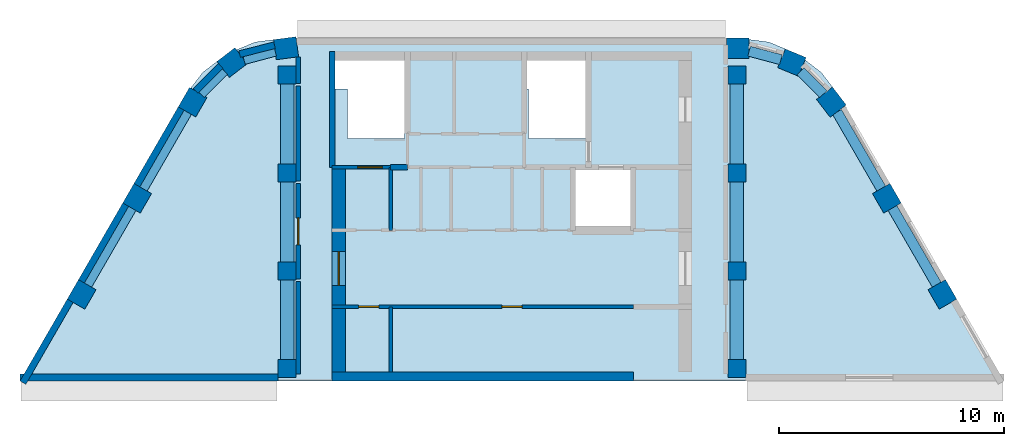
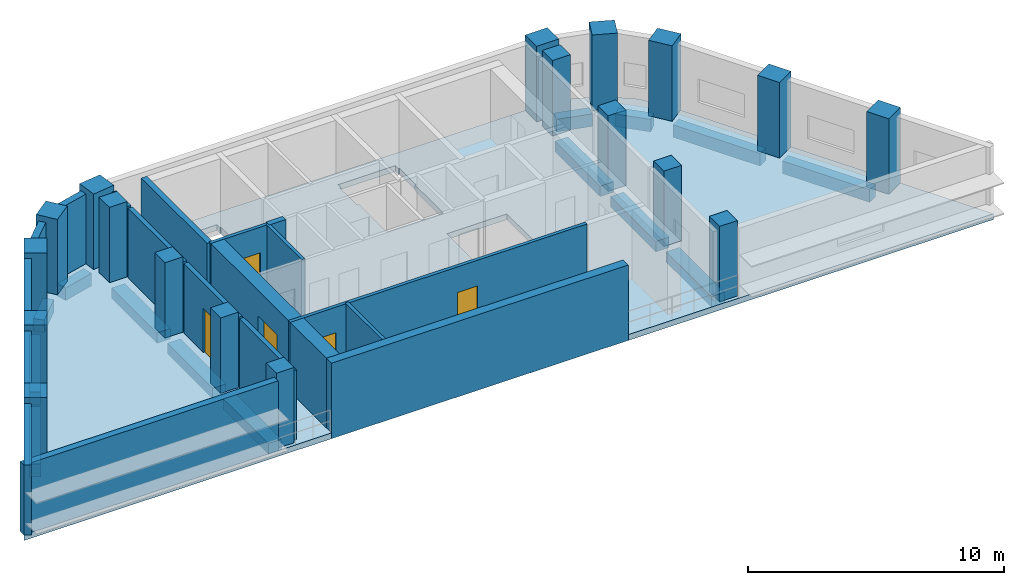
# One storey, part 1 of 4: 18 columns, 18 walls, 14 beams, 5 doors, 1 slab, 5 openings.
"""IFC4 building model written with IfcOpenShell, lengths in metres."""

from ifc_helpers import new_model, si_unit, direction, frame, frame_2d, origin, origin_2d, place, context, subcontext, project, spatial, polyline, rectangle, outline, extrude, material, layer, layer_set, material_profile, profile_set, type_object, element, fill, save


model = new_model("IFC4")

# Units and contexts
model_context = context("Model", 3, precision=1e-05, world=origin(), true_north=direction((0.0, 1.0)))
body_context = subcontext(model_context, "Body", "Model", "MODEL_VIEW")
ifc_project = project(units=[si_unit("LENGTHUNIT", "METRE"), si_unit("AREAUNIT", "SQUARE_METRE"), si_unit("VOLUMEUNIT", "CUBIC_METRE"), si_unit("PLANEANGLEUNIT", "RADIAN"), si_unit("MASSUNIT", "GRAM", prefix="KILO")], contexts=[model_context])

# Site, building, storey
site_placement = place(None, origin())
site = spatial("IfcSite", under=ifc_project, at=site_placement, CompositionType="ELEMENT")
building_placement = place(site_placement, origin())
building = spatial("IfcBuilding", under=site, at=building_placement, Name="Nakaniwa Court", CompositionType="ELEMENT")
storey_placement = place(building_placement, frame((0.0, 0.0, 294.0)))
storey = spatial("IfcBuildingStorey", under=building, at=storey_placement, Name="C07", CompositionType="ELEMENT", Elevation=294.0)

# Columns
ifc_material_1 = material(Name="Concrete C80/100", Category="concrete")
ifc_material_profile_1 = material_profile(ifc_material_1, rectangle(XDim=1.0, YDim=0.89990234375, at=origin_2d()), Name="Concrete C80/100 RC 1000x900 perimeter column")
ifc_profile_set_1 = profile_set([ifc_material_profile_1], Name="Concrete C80/100")
column_type_1 = type_object("IfcColumnType", Name="Concrete C80/100 RC 1000x900 perimeter column", PredefinedType="COLUMN", material=ifc_profile_set_1)
for number, where, z_axis, x_axis, name in (
    (1, (69.95458984375, 102.199951171875, 0.0), (0.0, 0.0, 1.0), (-0.991442583111, -0.130543496177, 0.0), "COLUMN CO-01"),
    (2, (67.552001953125, 101.560302734375, 0.0), (0.0, 0.0, 1.0), (-0.793363965062, -0.608747582288, 0.0), "COLUMN CO-02"),
    (3, (65.796875, 99.799560546875, 0.0), (0.0, 0.0, 1.0), (-0.5, -0.866025403784, 0.0), "COLUMN CO-03"),
    (4, (63.328857421875, 95.524658203125, 0.0), (0.0, 0.0, 1.0), (-0.5, -0.866025403784, 0.0), "COLUMN CO-04"),
    (5, (60.860595703125, 91.249755859375, 0.0), (0.0, 0.0, 1.0), (-0.5, -0.866025403784, 0.0), "COLUMN CO-05"),
    (6, (99.139404296875, 91.249755859375, 0.0), (0.0, 0.0, 1.0), (-0.5, 0.866025403784, 0.0), "COLUMN CO-33"),
    (7, (96.671142578125, 95.524658203125, 0.0), (0.0, 0.0, 1.0), (-0.5, 0.866025403784, 0.0), "COLUMN CO-34"),
    (8, (94.203125, 99.799560546875, 0.0), (0.0, 0.0, 1.0), (-0.608761429009, 0.793353340291, 0.0), "COLUMN CO-35"),
    (9, (92.447998046875, 101.560302734375, 0.0), (0.0, 0.0, 1.0), (-0.923879532511, 0.382683432365, 0.0), "COLUMN CO-36"),
    (10, (90.04541015625, 102.199951171875, 0.0), (0.0, 0.0, 1.0), (-1.0, 0.0, 0.0), "COLUMN CO-37"),
):
    element("IfcColumn", number, at=place(storey_placement, frame(where, z_axis=z_axis, x_axis=x_axis)), inside=storey, type_object=column_type_1, Name=name, PredefinedType="COLUMN", context=body_context, shape_type="SweptSolid", body=[
        extrude(rectangle(XDim=1.0, YDim=0.89990234375, at=origin_2d()), origin(), (0.0, 0.0, 1.0), 3.60009765625),
    ])
ifc_material_profile_2 = material_profile(ifc_material_1, rectangle(XDim=0.800048828125, YDim=0.800048828125, at=origin_2d()), Name="Concrete C80/100 RC 800x800 spine column")
ifc_profile_set_2 = profile_set([ifc_material_profile_2], Name="Concrete C80/100")
column_type_2 = type_object("IfcColumnType", Name="Concrete C80/100 RC 800x800 spine column", PredefinedType="COLUMN", material=ifc_profile_set_2)
for number, where, z_axis, x_axis, name in (
    (11, (90.0, 87.949951171875, 0.0), (0.0, 0.0, 1.0), (0.0, 1.0, 0.0), "COLUMN CS-07"),
    (12, (90.0, 92.300048828125, 0.0), (0.0, 0.0, 1.0), (0.0, 1.0, 0.0), "COLUMN CS-08"),
    (13, (90.0, 96.64990234375, 0.0), (0.0, 0.0, 1.0), (0.0, 1.0, 0.0), "COLUMN CS-09"),
    (14, (90.0, 101.0, 0.0), (0.0, 0.0, 1.0), (0.0, 1.0, 0.0), "COLUMN CS-10"),
    (15, (70.0, 101.0, 0.0), (0.0, 0.0, 1.0), (0.0, -1.0, 0.0), "COLUMN CS-11"),
    (16, (70.0, 96.64990234375, 0.0), (0.0, 0.0, 1.0), (0.0, -1.0, 0.0), "COLUMN CS-12"),
    (17, (70.0, 92.300048828125, 0.0), (0.0, 0.0, 1.0), (0.0, -1.0, 0.0), "COLUMN CS-13"),
    (18, (70.0, 87.949951171875, 0.0), (0.0, 0.0, 1.0), (0.0, -1.0, 0.0), "COLUMN CS-14"),
):
    element("IfcColumn", number, at=place(storey_placement, frame(where, z_axis=z_axis, x_axis=x_axis)), inside=storey, type_object=column_type_2, Name=name, PredefinedType="COLUMN", context=body_context, shape_type="SweptSolid", body=[
        extrude(rectangle(XDim=0.800048828125, YDim=0.800048828125, at=origin_2d()), origin(), (0.0, 0.0, 1.0), 3.60009765625),
    ])

# Beams
ifc_material_profile_3 = material_profile(ifc_material_1, rectangle(XDim=0.449951171875, YDim=0.60009765625, at=origin_2d()), Name="Concrete C80/100 RC 450x600 spandrel beam")
ifc_profile_set_3 = profile_set([ifc_material_profile_3], Name="Concrete C80/100")
beam_type_1 = type_object("IfcBeamType", Name="Concrete C80/100 RC 450x600 spandrel beam", PredefinedType="BEAM", material=ifc_profile_set_3)
beam_1_placement = place(storey_placement, frame((69.467529296875, 102.0703125, -0.574951171875), z_axis=(-0.966341744737, -0.257261797354, 0.0), x_axis=(0.257261797354, -0.966341744737, 0.0)))
element("IfcBeam", 19, at=beam_1_placement, inside=storey, type_object=beam_type_1, Name="SPANDREL BEAM", PredefinedType="BEAM", context=body_context, shape_type="SweptSolid", body=[
    extrude(rectangle(XDim=0.449951171875, YDim=0.60009765625, at=origin_2d()), origin(), (0.0, 0.0, 1.0), 1.440673828125),
])
beam_2_placement = place(storey_placement, frame((67.196044921875, 101.202880859375, -0.574951171875), z_axis=(-0.706105687672, -0.708106459396, 0.0), x_axis=(0.708106459396, -0.706105687672, 0.0)))
element("IfcBeam", 20, at=beam_2_placement, inside=storey, type_object=beam_type_1, Name="SPANDREL BEAM", PredefinedType="BEAM", context=body_context, shape_type="SweptSolid", body=[
    extrude(rectangle(XDim=0.449951171875, YDim=0.60009765625, at=origin_2d()), origin(), (0.0, 0.0, 1.0), 1.46435546875),
])
for number, where, z_axis, x_axis, name in (
    (21, (65.546875, 99.366455078125, -0.574951171875), (-0.499974795965, -0.866039954852, 0.0), (0.866039954852, -0.499974795965, 0.0), "SPANDREL BEAM"),
    (22, (63.078857421875, 95.091552734375, -0.574951171875), (-0.500021313302, -0.866013098194, 0.0), (0.866013098194, -0.500021313302, 0.0), "SPANDREL BEAM"),
    (23, (98.889404296875, 91.6826171875, -0.574951171875), (-0.500021313302, 0.866013098194, 0.0), (-0.866013098194, -0.500021313302, 0.0), "SPANDREL BEAM"),
):
    element("IfcBeam", number, at=place(storey_placement, frame(where, z_axis=z_axis, x_axis=x_axis)), inside=storey, type_object=beam_type_1, Name=name, PredefinedType="BEAM", context=body_context, shape_type="SweptSolid", body=[
        extrude(rectangle(XDim=0.449951171875, YDim=0.60009765625, at=origin_2d()), origin(), (0.0, 0.0, 1.0), 3.936279296875),
    ])
beam_3_placement = place(storey_placement, frame((96.421142578125, 95.95751953125, -0.574951171875), z_axis=(-0.499958946799, 0.866049104564, 0.0), x_axis=(-0.866049104564, -0.499958946799, 0.0)))
element("IfcBeam", 24, at=beam_3_placement, inside=storey, type_object=beam_type_1, Name="SPANDREL BEAM", PredefinedType="BEAM", context=body_context, shape_type="SweptSolid", body=[
    extrude(rectangle(XDim=0.449951171875, YDim=0.60009765625, at=origin_2d()), origin(), (0.0, 0.0, 1.0), 3.931884765625),
])
beam_4_placement = place(storey_placement, frame((93.84716796875, 100.156494140625, -0.574951171875), z_axis=(-0.706004380105, 0.708207466265, 0.0), x_axis=(-0.708207466265, -0.706004380105, 0.0)))
element("IfcBeam", 25, at=beam_4_placement, inside=storey, type_object=beam_type_1, Name="SPANDREL BEAM", PredefinedType="BEAM", context=body_context, shape_type="SweptSolid", body=[
    extrude(rectangle(XDim=0.449951171875, YDim=0.60009765625, at=origin_2d()), origin(), (0.0, 0.0, 1.0), 1.440673828125),
])
beam_5_placement = place(storey_placement, frame((91.96044921875, 101.68994140625, -0.574951171875), z_axis=(-0.966301318257, 0.257413601689, 0.0), x_axis=(-0.257413601689, -0.966301318257, 0.0)))
element("IfcBeam", 26, at=beam_5_placement, inside=storey, type_object=beam_type_1, Name="SPANDREL BEAM", PredefinedType="BEAM", context=body_context, shape_type="SweptSolid", body=[
    extrude(rectangle(XDim=0.449951171875, YDim=0.60009765625, at=origin_2d()), origin(), (0.0, 0.0, 1.0), 1.46435546875),
])
ifc_material_profile_4 = material_profile(ifc_material_1, rectangle(XDim=0.60009765625, YDim=0.5, at=origin_2d()), Name="Concrete C80/100 RC 600x500 ring beam")
ifc_profile_set_4 = profile_set([ifc_material_profile_4], Name="Concrete C80/100")
beam_type_2 = type_object("IfcBeamType", Name="Concrete C80/100 RC 600x500 ring beam", PredefinedType="BEAM", material=ifc_profile_set_4)
beam_6_placement = place(storey_placement, frame((90.0, 88.35009765625, -0.52490234375), z_axis=(0.0, 1.0, 0.0), x_axis=(-1.0, 0.0, 0.0)))
element("IfcBeam", 27, at=beam_6_placement, inside=storey, type_object=beam_type_2, Name="RING BEAM", PredefinedType="BEAM", context=body_context, shape_type="SweptSolid", body=[
    extrude(rectangle(XDim=0.60009765625, YDim=0.5, at=origin_2d()), origin(), (0.0, 0.0, 1.0), 3.5498046875),
])
for number, where, z_axis, x_axis, name in (
    (28, (90.0, 92.699951171875, -0.52490234375), (0.0, 1.0, 0.0), (-1.0, 0.0, 0.0), "RING BEAM"),
    (29, (90.0, 97.050048828125, -0.52490234375), (0.0, 1.0, 0.0), (-1.0, 0.0, 0.0), "RING BEAM"),
    (30, (70.0, 100.60009765625, -0.52490234375), (0.0, -1.0, 0.0), (1.0, 0.0, 0.0), "RING BEAM"),
    (31, (70.0, 96.25, -0.52490234375), (0.0, -1.0, 0.0), (1.0, 0.0, 0.0), "RING BEAM"),
):
    element("IfcBeam", number, at=place(storey_placement, frame(where, z_axis=z_axis, x_axis=x_axis)), inside=storey, type_object=beam_type_2, Name=name, PredefinedType="BEAM", context=body_context, shape_type="SweptSolid", body=[
        extrude(rectangle(XDim=0.60009765625, YDim=0.5, at=origin_2d()), origin(), (0.0, 0.0, 1.0), 3.550048828125),
    ])
beam_7_placement = place(storey_placement, frame((70.0, 91.89990234375, -0.52490234375), z_axis=(0.0, -1.0, 0.0), x_axis=(1.0, 0.0, 0.0)))
element("IfcBeam", 32, at=beam_7_placement, inside=storey, type_object=beam_type_2, Name="RING BEAM", PredefinedType="BEAM", context=body_context, shape_type="SweptSolid", body=[
    extrude(rectangle(XDim=0.60009765625, YDim=0.5, at=origin_2d()), origin(), (0.0, 0.0, 1.0), 3.5498046875),
])

# Slab
ifc_layer_1 = layer(ifc_material_1, 0.27490234375)
ifc_layer_set_1 = layer_set([ifc_layer_1], Name="Concrete C80/100")
slab_type = type_object("IfcSlabType", Name="Concrete C80/100 post tensioned floor slab 275", PredefinedType="FLOOR", material=ifc_layer_set_1)
slab_placement = place(storey_placement, frame((0.0, 0.0, -0.27490234375)))
element("IfcSlab", 33, at=slab_placement, inside=storey, type_object=slab_type, Name="FLOOR SLAB", PredefinedType="FLOOR", context=body_context, shape_type="SweptSolid", body=[
    extrude(outline(polyline([(65.421875, 100.050048828125), (58.118408203125, 87.39990234375), (101.881591796875, 87.39990234375), (94.578125, 100.050048828125), (93.751708984375, 101.126953125), (92.6748046875, 101.953369140625), (91.420654296875, 102.472900390625), (90.07470703125, 102.64990234375), (69.92529296875, 102.64990234375), (68.579345703125, 102.472900390625), (67.3251953125, 101.953369140625), (66.248291015625, 101.126953125), (65.421875, 100.050048828125)]), holes=[polyline([(85.39990234375, 96.89990234375), (82.699951171875, 96.89990234375), (82.699951171875, 94.10009765625), (85.39990234375, 94.10009765625), (85.39990234375, 96.89990234375)]), polyline([(75.22509765625, 100.385009765625), (75.264892578125, 100.385009765625), (75.264892578125, 101.68994140625), (75.22509765625, 101.68994140625), (75.22509765625, 101.925048828125), (72.125, 101.925048828125), (72.125, 101.68994140625), (72.0849609375, 101.68994140625), (72.0849609375, 100.385009765625), (72.675048828125, 100.385009765625), (72.675048828125, 98.18994140625), (75.22509765625, 98.18994140625), (75.22509765625, 100.385009765625)]), polyline([(83.27490234375, 101.925048828125), (80.675048828125, 101.925048828125), (80.675048828125, 101.68994140625), (80.635009765625, 101.68994140625), (80.635009765625, 100.385009765625), (80.72509765625, 100.385009765625), (80.72509765625, 98.18994140625), (83.27490234375, 98.18994140625), (83.27490234375, 100.385009765625), (83.31494140625, 100.385009765625), (83.31494140625, 101.68994140625), (83.27490234375, 101.68994140625), (83.27490234375, 101.925048828125)])]), origin(), (0.0, 0.0, 1.0), 0.27490234375),
])

# Wall
ifc_material_2 = material(Name="Acoustic double stud partition")
ifc_layer_2 = layer(ifc_material_2, 0.199951171875)
ifc_layer_set_2 = layer_set([ifc_layer_2], Name="Acoustic double stud partition")
wall_type_1 = type_object("IfcWallType", Name="Acoustic double stud partition 200", PredefinedType="PARTITIONING", material=ifc_layer_set_2)
wall_1_placement = place(storey_placement, frame((70.5, 87.699951171875, 0.0), z_axis=(0.0, 0.0, 1.0), x_axis=(0.0, 1.0, 0.0)))
element("IfcWall", 34, at=wall_1_placement, inside=storey, type_object=wall_type_1, Name="Partition PW-031", PredefinedType="PARTITIONING", context=body_context, shape_type="SweptSolid", body=[
    extrude(rectangle(XDim=4.123046875, YDim=0.199951171875, at=frame_2d((2.0615234375, 0.0))), origin(), (0.0, 0.0, 1.0), 3.324951171875),
])

# Wall, opening, door
wall_2_placement = place(storey_placement, frame((70.5, 91.93701171875, 0.0), z_axis=(0.0, 0.0, 1.0), x_axis=(0.0, 1.0, 0.0)))
wall_2 = element("IfcWall", 35, at=wall_2_placement, inside=storey, type_object=wall_type_1, Name="Partition PW-032", PredefinedType="PARTITIONING", context=body_context, shape_type="SweptSolid", body=[
    extrude(rectangle(XDim=4.236083984375, YDim=0.199951171875, at=frame_2d((2.1181640625, 0.0))), origin(), (0.0, 0.0, 1.0), 3.324951171875),
])
opening_1_placement = place(wall_2_placement, frame((1.51806640625, 0.0, 0.0)))
opening_1 = element("IfcOpeningElement", 36, at=opening_1_placement, cuts=wall_2, Name="Opening D-35-01", PredefinedType="OPENING", context=body_context, shape_type="SweptSolid", body=[
    extrude(rectangle(XDim=1.199951171875, YDim=2.10009765625, at=frame_2d((0.60009765625, 1.050048828125))), frame((0.0, 0.10986328125, 0.0), z_axis=(0.0, -1.0, 0.0), x_axis=(1.0, 0.0, 0.0)), (0.0, 0.0, 1.0), 0.219970703125),
])
ifc_material_3 = material(Name="Fire rated steel door set", Category="steel")
door_type_1 = type_object("IfcDoorType", Name="Service room door 1200", OperationType="NOTDEFINED", PredefinedType="DOOR", material=ifc_material_3)
door_1_placement = place(opening_1_placement, origin())
door_1 = element("IfcDoor", 37, at=door_1_placement, inside=storey, type_object=door_type_1, Name="Door D-35-01 C07-016", OperationType="SINGLE_SWING_LEFT", OverallHeight=2.10009765625, OverallWidth=1.199951171875, PredefinedType="DOOR", context=body_context, shape_type="SweptSolid", body=[
    extrude(rectangle(XDim=1.199951171875, YDim=2.10009765625, at=frame_2d((0.60009765625, 1.050048828125))), frame((0.0, 0.02490234375, 0.0), z_axis=(0.0, -1.0, 0.0), x_axis=(1.0, 0.0, 0.0)), (0.0, 0.0, 1.0), 0.050048828125),
])
fill(opening_1, door_1)

# Walls
wall_3_placement = place(storey_placement, frame((70.5, 96.287109375, 0.0), z_axis=(0.0, 0.0, 1.0), x_axis=(0.0, 1.0, 0.0)))
element("IfcWall", 38, at=wall_3_placement, inside=storey, type_object=wall_type_1, Name="Partition PW-033", PredefinedType="PARTITIONING", context=body_context, shape_type="SweptSolid", body=[
    extrude(rectangle(XDim=4.23583984375, YDim=0.199951171875, at=frame_2d((2.117919921875, 0.0))), origin(), (0.0, 0.0, 1.0), 3.324951171875),
])
wall_4_placement = place(storey_placement, frame((70.5, 100.636962890625, 0.0), z_axis=(0.0, 0.0, 1.0), x_axis=(0.0, 1.0, 0.0)))
element("IfcWall", 39, at=wall_4_placement, inside=storey, type_object=wall_type_1, Name="Partition PW-034", PredefinedType="PARTITIONING", context=body_context, shape_type="SweptSolid", body=[
    extrude(rectangle(XDim=1.163818359375, YDim=0.199951171875, at=frame_2d((0.58203125, 0.0))), origin(), (0.0, 0.0, 1.0), 3.324951171875),
])
ifc_material_4 = material(Name="Charcoal ceramic cladding")
ifc_layer_3 = layer(ifc_material_4, 0.02, Name="Ceramic cladding")
ifc_material_5 = material(Name="Ventilated air cavity")
ifc_layer_4 = layer(ifc_material_5, 0.04, ventilated=True, Name="Ventilated cavity")
ifc_material_6 = material(Name="Mineral wool insulation")
ifc_layer_5 = layer(ifc_material_6, 0.1, Name="Insulation")
ifc_material_7 = material(Name="Cement bonded sheathing board")
ifc_layer_6 = layer(ifc_material_7, 0.012, Name="Sheathing")
ifc_material_8 = material(Name="Cold-formed galvanised stud frame with mineral wool infill")
ifc_layer_7 = layer(ifc_material_8, 0.1, Name="Stud frame")
ifc_material_9 = material(Name="Fire-rated gypsum plasterboard lining")
ifc_layer_8 = layer(ifc_material_9, 0.028, Name="Lining")
ifc_layer_set_3 = layer_set([ifc_layer_3, ifc_layer_4, ifc_layer_5, ifc_layer_6, ifc_layer_7, ifc_layer_8], Name="Charcoal ceramic faced external wall system")
wall_type_2 = type_object("IfcWallType", Name="Black ceramic faced external wall 300", PredefinedType="SOLIDWALL", material=ifc_layer_set_3)
wall_5_placement = place(storey_placement, frame((62.821044921875, 95.2451171875, 0.0), z_axis=(0.0, 0.0, 1.0), x_axis=(-0.499986771468, -0.866033041146, 0.0)))
element("IfcWall", 40, at=wall_5_placement, inside=storey, type_object=wall_type_2, Name="C07 external wall 00", PredefinedType="SOLIDWALL", context=body_context, shape_type="SweptSolid", body=[
    extrude(rectangle(XDim=3.9443359375, YDim=0.300048828125, at=frame_2d((1.97216796875, 0.0))), origin(), (0.0, 0.0, 1.0), 3.324951171875),
])
wall_6_placement = place(storey_placement, frame((60.352783203125, 90.97021484375, 0.0), z_axis=(0.0, 0.0, 1.0), x_axis=(-0.499981865284, -0.866035873614, 0.0)))
element("IfcWall", 41, at=wall_6_placement, inside=storey, type_object=wall_type_2, Name="C07 external wall 01", PredefinedType="SOLIDWALL", context=body_context, shape_type="SweptSolid", body=[
    extrude(rectangle(XDim=4.209228515625, YDim=0.300048828125, at=frame_2d((2.1044921875, 0.0))), origin(), (0.0, 0.0, 1.0), 3.324951171875),
])
wall_7_placement = place(storey_placement, frame((58.118408203125, 87.550048828125, 0.0), z_axis=(0.0, 0.0, 1.0), x_axis=(1.0, 0.0, 0.0)))
element("IfcWall", 42, at=wall_7_placement, inside=storey, type_object=wall_type_2, Name="C07 external wall 02", PredefinedType="SOLIDWALL", context=body_context, shape_type="SweptSolid", body=[
    extrude(rectangle(XDim=11.485595703125, YDim=0.300048828125, at=frame_2d((5.74267578125, 0.0))), origin(), (0.0, 0.0, 1.0), 3.324951171875),
])
wall_8_placement = place(storey_placement, frame((69.436767578125, 102.333251953125, 0.0), z_axis=(0.0, 0.0, 1.0), x_axis=(-0.968770279168, -0.247959968947, 0.0)))
element("IfcWall", 43, at=wall_8_placement, inside=storey, type_object=wall_type_2, Name="C07 external wall 10", PredefinedType="SOLIDWALL", context=body_context, shape_type="SweptSolid", body=[
    extrude(rectangle(XDim=1.597900390625, YDim=0.300048828125, at=frame_2d((0.798828125, 0.0))), origin(), (0.0, 0.0, 1.0), 3.324951171875),
])
wall_9_placement = place(storey_placement, frame((67.039306640625, 101.41357421875, 0.0), z_axis=(0.0, 0.0, 1.0), x_axis=(-0.708575326337, -0.705635179754, 0.0)))
element("IfcWall", 44, at=wall_9_placement, inside=storey, type_object=wall_type_2, Name="C07 external wall 11", PredefinedType="SOLIDWALL", context=body_context, shape_type="SweptSolid", body=[
    extrude(rectangle(XDim=1.57763671875, YDim=0.300048828125, at=frame_2d((0.788818359375, 0.0))), origin(), (0.0, 0.0, 1.0), 3.324951171875),
])
wall_10_placement = place(storey_placement, frame((65.2890625, 99.52001953125, 0.0), z_axis=(0.0, 0.0, 1.0), x_axis=(-0.499986771468, -0.866033041146, 0.0)))
element("IfcWall", 45, at=wall_10_placement, inside=storey, type_object=wall_type_2, Name="C07 external wall 12", PredefinedType="SOLIDWALL", context=body_context, shape_type="SweptSolid", body=[
    extrude(rectangle(XDim=3.9443359375, YDim=0.300048828125, at=frame_2d((1.97216796875, 0.0))), origin(), (0.0, 0.0, 1.0), 3.324951171875),
])
ifc_material_10 = material(Name="Blockwork partition", Category="masonry")
ifc_layer_9 = layer(ifc_material_10, 0.14990234375)
ifc_layer_set_4 = layer_set([ifc_layer_9], Name="Blockwork partition")
wall_type_3 = type_object("IfcWallType", Name="Blockwork partition 150", PredefinedType="PARTITIONING", material=ifc_layer_set_4)
wall_11_placement = place(storey_placement, frame((74.60009765625, 87.800048828125, 0.0), z_axis=(0.0, 0.0, 1.0), x_axis=(0.0, 1.0, 0.0)))
element("IfcWall", 46, at=wall_11_placement, inside=storey, type_object=wall_type_3, Name="Partition PW-001", PredefinedType="PARTITIONING", context=body_context, shape_type="SweptSolid", body=[
    extrude(rectangle(XDim=2.89990234375, YDim=0.14990234375, at=frame_2d((1.449951171875, 0.0))), origin(), (0.0, 0.0, 1.0), 3.324951171875),
])
wall_12_placement = place(storey_placement, frame((74.60009765625, 94.10009765625, 0.0), z_axis=(0.0, 0.0, 1.0), x_axis=(0.0, 1.0, 0.0)))
element("IfcWall", 47, at=wall_12_placement, inside=storey, type_object=wall_type_3, Name="Partition PW-002", PredefinedType="PARTITIONING", context=body_context, shape_type="SweptSolid", body=[
    extrude(rectangle(XDim=2.7998046875, YDim=0.14990234375, at=frame_2d((1.39990234375, 0.0))), origin(), (0.0, 0.0, 1.0), 3.324951171875),
])

# Wall, openings, doors
wall_13_placement = place(storey_placement, frame((85.39990234375, 90.699951171875, 0.0), z_axis=(0.0, 0.0, 1.0), x_axis=(-1.0, 0.0, 0.0)))
wall_13 = element("IfcWall", 48, at=wall_13_placement, inside=storey, type_object=wall_type_3, Name="Partition PW-003", PredefinedType="PARTITIONING", context=body_context, shape_type="SweptSolid", body=[
    extrude(rectangle(XDim=13.39990234375, YDim=0.14990234375, at=frame_2d((6.699951171875, 0.0))), origin(), (0.0, 0.0, 1.0), 3.324951171875),
])
opening_2_placement = place(wall_13_placement, frame((11.324951171875, 0.0, 0.0)))
opening_2 = element("IfcOpeningElement", 49, at=opening_2_placement, cuts=wall_13, Name="Opening D-05-01", PredefinedType="OPENING", context=body_context, shape_type="SweptSolid", body=[
    extrude(rectangle(XDim=0.89990234375, YDim=2.10009765625, at=frame_2d((0.449951171875, 1.050048828125))), frame((0.0, 0.0849609375, 0.0), z_axis=(0.0, -1.0, 0.0), x_axis=(1.0, 0.0, 0.0)), (0.0, 0.0, 1.0), 0.169921875),
])
opening_3_placement = place(wall_13_placement, frame((4.949951171875, 0.0, 0.0)))
opening_3 = element("IfcOpeningElement", 50, at=opening_3_placement, cuts=wall_13, Name="Opening D-05-02", PredefinedType="OPENING", context=body_context, shape_type="SweptSolid", body=[
    extrude(rectangle(XDim=0.89990234375, YDim=2.10009765625, at=frame_2d((0.449951171875, 1.050048828125))), frame((0.0, 0.0849609375, 0.0), z_axis=(0.0, -1.0, 0.0), x_axis=(1.0, 0.0, 0.0)), (0.0, 0.0, 1.0), 0.169921875),
])
door_type_2 = type_object("IfcDoorType", Name="Service room door 900", OperationType="NOTDEFINED", PredefinedType="DOOR", material=ifc_material_3)
door_2_placement = place(opening_2_placement, origin())
door_2 = element("IfcDoor", 51, at=door_2_placement, inside=storey, type_object=door_type_2, Name="Door D-05-01 C07-001", OperationType="SINGLE_SWING_RIGHT", OverallHeight=2.10009765625, OverallWidth=0.89990234375, PredefinedType="DOOR", context=body_context, shape_type="SweptSolid", body=[
    extrude(rectangle(XDim=0.89990234375, YDim=2.10009765625, at=frame_2d((0.449951171875, 1.050048828125))), frame((0.0, 0.02490234375, 0.0), z_axis=(0.0, -1.0, 0.0), x_axis=(1.0, 0.0, 0.0)), (0.0, 0.0, 1.0), 0.050048828125),
])
fill(opening_2, door_2)
door_3_placement = place(opening_3_placement, origin())
door_3 = element("IfcDoor", 52, at=door_3_placement, inside=storey, type_object=door_type_2, Name="Door D-05-02 C07-002", OperationType="SINGLE_SWING_LEFT", OverallHeight=2.10009765625, OverallWidth=0.89990234375, PredefinedType="DOOR", context=body_context, shape_type="SweptSolid", body=[
    extrude(rectangle(XDim=0.89990234375, YDim=2.10009765625, at=frame_2d((0.449951171875, 1.050048828125))), frame((0.0, 0.02490234375, 0.0), z_axis=(0.0, -1.0, 0.0), x_axis=(1.0, 0.0, 0.0)), (0.0, 0.0, 1.0), 0.050048828125),
])
fill(opening_3, door_3)

# Wall, opening, door
ifc_layer_10 = layer(ifc_material_1, 0.60009765625)
ifc_layer_set_5 = layer_set([ifc_layer_10], Name="Concrete C80/100")
wall_type_4 = type_object("IfcWallType", Name="Concrete core side wall 600 C80", PredefinedType="SHEAR", material=ifc_layer_set_5)
wall_14_placement = place(storey_placement, frame((72.300048828125, 87.800048828125, -0.27490234375), z_axis=(0.0, 0.0, 1.0), x_axis=(0.0, 1.0, 0.0)))
wall_14 = element("IfcWall", 53, at=wall_14_placement, inside=storey, type_object=wall_type_4, Name="Core wall SW-04", PredefinedType="SHEAR", context=body_context, shape_type="SweptSolid", body=[
    extrude(rectangle(XDim=9.099853515625, YDim=0.60009765625, at=frame_2d((4.5498046875, 0.0))), origin(), (0.0, 0.0, 1.0), 3.599853515625),
])
opening_4_placement = place(wall_14_placement, frame((3.85009765625, 0.0, 0.27490234375)))
opening_4 = element("IfcOpeningElement", 54, at=opening_4_placement, cuts=wall_14, Name="Opening D-07-02", PredefinedType="OPENING", context=body_context, shape_type="SweptSolid", body=[
    extrude(rectangle(XDim=1.5, YDim=2.10009765625, at=frame_2d((0.75, 1.050048828125))), frame((0.0, 0.31005859375, 0.0), z_axis=(0.0, -1.0, 0.0), x_axis=(1.0, 0.0, 0.0)), (0.0, 0.0, 1.0), 0.6201171875),
])
ifc_material_11 = material(Name="Glazed fire rated steel double door set", Category="steel")
door_type_3 = type_object("IfcDoorType", Name="Lobby double door 1500", OperationType="NOTDEFINED", PredefinedType="DOOR", material=ifc_material_11)
door_4_placement = place(opening_4_placement, origin())
door_4 = element("IfcDoor", 55, at=door_4_placement, inside=storey, type_object=door_type_3, Name="Door D-07-02 C07-018", OperationType="DOUBLE_DOOR_SINGLE_SWING", OverallHeight=2.10009765625, OverallWidth=1.5, PredefinedType="DOOR", context=body_context, shape_type="SweptSolid", body=[
    extrude(rectangle(XDim=1.5, YDim=2.10009765625, at=frame_2d((0.75, 1.050048828125))), frame((0.0, 0.02490234375, 0.0), z_axis=(0.0, -1.0, 0.0), x_axis=(1.0, 0.0, 0.0)), (0.0, 0.0, 1.0), 0.050048828125),
])
fill(opening_4, door_4)

ifc_layer_11 = layer(ifc_material_1, 0.14990234375)
ifc_layer_set_6 = layer_set([ifc_layer_11], Name="Concrete C80/100")
wall_type_5 = type_object("IfcWallType", Name="Concrete core wall 150 C80", PredefinedType="SHEAR", material=ifc_layer_set_6)
wall_15_placement = place(storey_placement, frame((74.60009765625, 96.89990234375, -0.27490234375), z_axis=(0.0, 0.0, 1.0), x_axis=(-1.0, 0.0, 0.0)))
wall_15 = element("IfcWall", 56, at=wall_15_placement, inside=storey, type_object=wall_type_5, Name="Core wall SW-09", PredefinedType="SHEAR", context=body_context, shape_type="SweptSolid", body=[
    extrude(rectangle(XDim=2.60009765625, YDim=0.14990234375, at=frame_2d((1.300048828125, 0.0))), origin(), (0.0, 0.0, 1.0), 3.599853515625),
])
opening_5_placement = place(wall_15_placement, frame((0.3701171875, 0.0, 0.27490234375)))
opening_5 = element("IfcOpeningElement", 57, at=opening_5_placement, cuts=wall_15, Name="Opening D-09-01", PredefinedType="OPENING", context=body_context, shape_type="SweptSolid", body=[
    extrude(rectangle(XDim=1.10009765625, YDim=2.10009765625, at=frame_2d((0.550048828125, 1.050048828125))), frame((0.0, 0.0849609375, 0.0), z_axis=(0.0, -1.0, 0.0), x_axis=(1.0, 0.0, 0.0)), (0.0, 0.0, 1.0), 0.169921875),
])
door_type_4 = type_object("IfcDoorType", Name="Stair door 1100", OperationType="NOTDEFINED", PredefinedType="DOOR", material=ifc_material_3)
door_5_placement = place(opening_5_placement, origin())
door_5 = element("IfcDoor", 58, at=door_5_placement, inside=storey, type_object=door_type_4, Name="Door D-09-01 C07-013", OperationType="SINGLE_SWING_LEFT", OverallHeight=2.10009765625, OverallWidth=1.10009765625, PredefinedType="DOOR", context=body_context, shape_type="SweptSolid", body=[
    extrude(rectangle(XDim=1.10009765625, YDim=2.10009765625, at=frame_2d((0.550048828125, 1.050048828125))), frame((0.0, 0.02490234375, 0.0), z_axis=(0.0, -1.0, 0.0), x_axis=(1.0, 0.0, 0.0)), (0.0, 0.0, 1.0), 0.050048828125),
])
fill(opening_5, door_5)

# Walls
ifc_layer_12 = layer(ifc_material_1, 0.25)
ifc_layer_set_7 = layer_set([ifc_layer_12], Name="Concrete C80/100")
wall_type_6 = type_object("IfcWallType", Name="Concrete core wall 250 C80", PredefinedType="SHEAR", material=ifc_layer_set_7)
wall_16_placement = place(storey_placement, frame((72.0, 96.89990234375, -0.27490234375), z_axis=(0.0, 0.0, 1.0), x_axis=(0.0, 1.0, 0.0)))
element("IfcWall", 59, at=wall_16_placement, inside=storey, type_object=wall_type_6, Name="Core wall SW-21", PredefinedType="SHEAR", context=body_context, shape_type="SweptSolid", body=[
    extrude(rectangle(XDim=5.150146484375, YDim=0.25, at=frame_2d((2.5751953125, 0.0))), origin(), (0.0, 0.0, 1.0), 3.599853515625),
])
ifc_layer_13 = layer(ifc_material_1, 0.39990234375)
ifc_layer_set_8 = layer_set([ifc_layer_13], Name="Concrete C80/100")
wall_type_7 = type_object("IfcWallType", Name="Concrete core well wall 400 C80", PredefinedType="SHEAR", material=ifc_layer_set_8)
wall_17_placement = place(storey_placement, frame((72.00390625, 87.60009765625, -0.27490234375), z_axis=(0.0, 0.0, 1.0), x_axis=(1.0, 0.0, 0.0)))
element("IfcWall", 60, at=wall_17_placement, inside=storey, type_object=wall_type_7, Name="Core wall SW-35", PredefinedType="SHEAR", context=body_context, shape_type="SweptSolid", body=[
    extrude(rectangle(XDim=13.39599609375, YDim=0.39990234375, at=frame_2d((6.697998046875, 0.0))), origin(), (0.0, 0.0, 1.0), 3.599853515625),
])
ifc_layer_14 = layer(ifc_material_1, 0.25)
ifc_layer_set_9 = layer_set([ifc_layer_14], Name="Concrete C80/100")
wall_type_8 = type_object("IfcWallType", Name="Concrete shaft wall 250 C80", PredefinedType="SHEAR", material=ifc_layer_set_9)
wall_18_placement = place(storey_placement, frame((74.60009765625, 96.89990234375, -0.27490234375), z_axis=(0.0, 0.0, 1.0), x_axis=(1.0, 0.0, 0.0)))
element("IfcWall", 61, at=wall_18_placement, inside=storey, type_object=wall_type_8, Name="Core wall SW-11", PredefinedType="SHEAR", context=body_context, shape_type="SweptSolid", body=[
    extrude(rectangle(XDim=0.7529296875, YDim=0.25, at=frame_2d((0.37646484375, 0.0))), origin(), (0.0, 0.0, 1.0), 3.599853515625),
])

save(model, "model.ifc")
